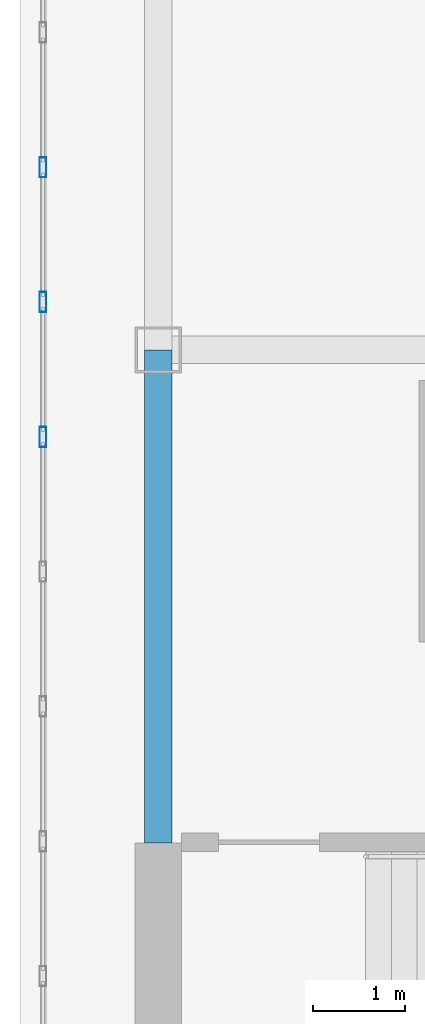
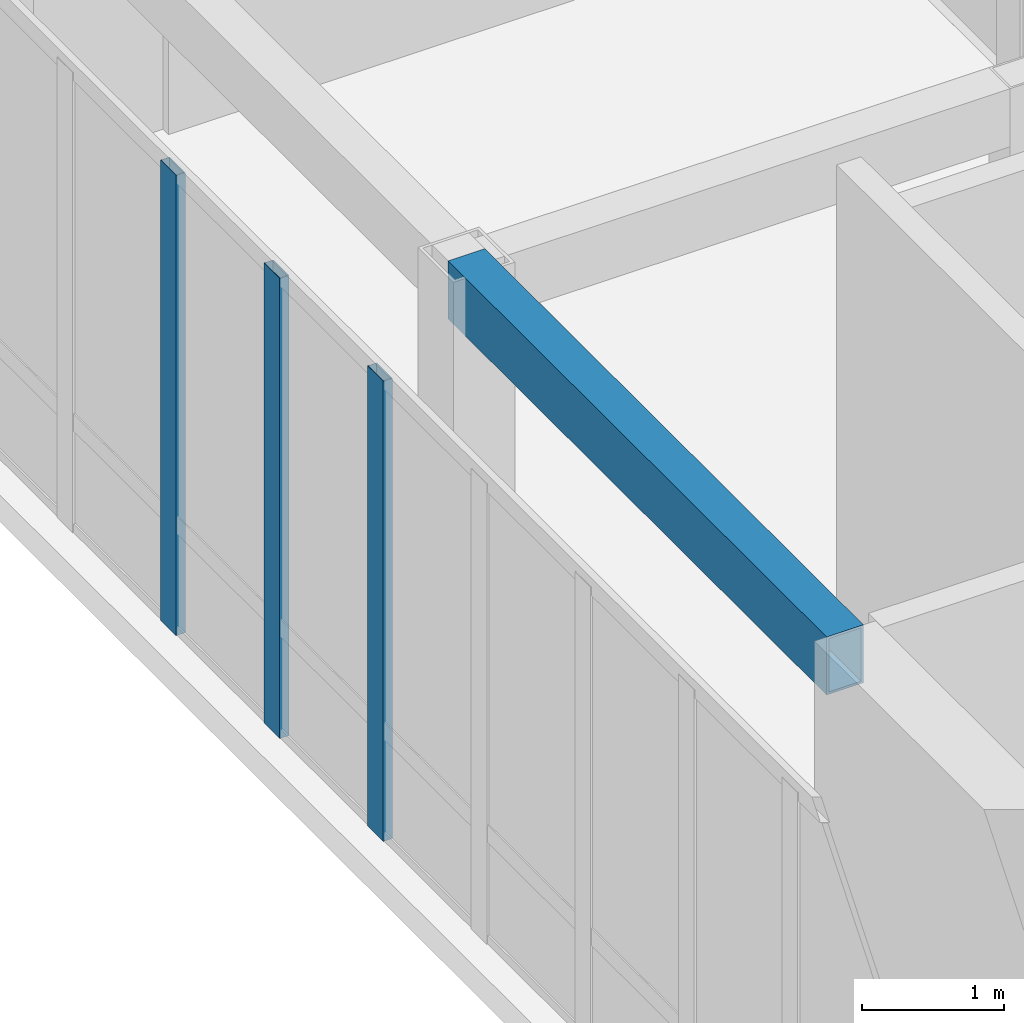
# One storey, part 3 of 13: 3 members, 1 beam, 1 element without a shape of its own.
"""IFC4 building model written with IfcOpenShell, lengths in metres."""

import ifcopenshell
import ifcopenshell.guid

model = None  # the IFC model being written
_history = None  # IfcOwnerHistory: only IFC2X3 demands one
_inside = {}  # id of a spatial element -> (the spatial element, [elements in it])
_under = {}  # id of a project, library or spatial element -> (it, [spatial elements below it])
_declared = {}  # id of a project -> (the project, [libraries it declares])
_typed = {}  # id of a type object -> (the type object, [elements of that type])
_made_of = {}  # id of a material, layer set ... -> (it, [elements and type objects made of it])


def new_model(schema):
    """Start an empty IFC model of exactly this schema.

    Asked for "IFC4X3", IfcOpenShell would pick the latest addendum, in which some entities
    have other attributes; the version numbers below select the first issue.
    IFC2X3 requires an IfcOwnerHistory on every rooted entity: one is made here for all.
    """
    global model, _history
    if schema == "IFC4X3":
        model = ifcopenshell.file(schema_version=(4, 3, 0, 0))
    else:
        model = ifcopenshell.file(schema=schema)
    _inside.clear()
    _under.clear()
    _declared.clear()
    _typed.clear()
    _made_of.clear()
    _history = None
    if model.schema == "IFC2X3":
        org = make("IfcOrganization", Name="unknown")
        user = make(
            "IfcPersonAndOrganization",
            ThePerson=make("IfcPerson", FamilyName="unknown"),
            TheOrganization=org,
        )
        app = make(
            "IfcApplication",
            ApplicationDeveloper=org,
            Version="unknown",
            ApplicationFullName="unknown",
            ApplicationIdentifier="unknown",
        )
        _history = make(
            "IfcOwnerHistory",
            OwningUser=user,
            OwningApplication=app,
            ChangeAction="ADDED",
            CreationDate=0,
        )
    return model


def make(cls, **values):
    """One entity of the class cls with the attributes given. An attribute that is None is left unset."""
    return model.create_entity(
        cls, **{name: value for name, value in values.items() if value is not None}
    )


def rooted(cls, **values):
    """An entity with a GlobalId (a new one), such as an element, a storey or a relation."""
    return make(cls, GlobalId=ifcopenshell.guid.new(), OwnerHistory=_history, **values)


def si_unit(unit_type, name, prefix=None):
    """IfcSIUnit, for example si_unit("LENGTHUNIT", "METRE", prefix="MILLI")."""
    return make("IfcSIUnit", UnitType=unit_type, Prefix=prefix, Name=name)


def assignment(units):
    """IfcUnitAssignment: the units of a project."""
    return None if units is None else make("IfcUnitAssignment", Units=units)


def point(xyz):
    """IfcCartesianPoint."""
    return None if xyz is None else make("IfcCartesianPoint", Coordinates=xyz)


def direction(xyz):
    """IfcDirection."""
    return None if xyz is None else make("IfcDirection", DirectionRatios=xyz)


def frame(location, z_axis=None, x_axis=None):
    """IfcAxis2Placement3D, a coordinate frame: its origin and axes. An axis left out is left unset."""
    return make(
        "IfcAxis2Placement3D",
        Location=point(location),
        Axis=direction(z_axis),
        RefDirection=direction(x_axis),
    )


def frame_2d(location, x_axis=None):
    """IfcAxis2Placement2D, a coordinate frame in the plane: its origin and x axis."""
    return make(
        "IfcAxis2Placement2D", Location=point(location), RefDirection=direction(x_axis)
    )


def origin():
    """The frame at (0, 0, 0) with its axes left unset."""
    return frame((0.0, 0.0, 0.0))


def origin_2d():
    """The frame at (0, 0) in the plane with its x axis left unset."""
    return frame_2d((0.0, 0.0))


def place(relative_to, where):
    """IfcLocalPlacement: puts the frame where relative to a parent placement (None: the world)."""
    return make(
        "IfcLocalPlacement", PlacementRelTo=relative_to, RelativePlacement=where
    )


def context(
    kind, dimensions, precision=None, world=None, true_north=None, identifier=None
):
    """IfcGeometricRepresentationContext, for example the 3D "Model" context."""
    return make(
        "IfcGeometricRepresentationContext",
        ContextIdentifier=identifier,
        ContextType=kind,
        CoordinateSpaceDimension=dimensions,
        Precision=precision,
        WorldCoordinateSystem=world,
        TrueNorth=true_north,
    )


def subcontext(parent, identifier, kind, view, scale=None):
    """IfcGeometricRepresentationSubContext, for example "Body" below "Model"."""
    return make(
        "IfcGeometricRepresentationSubContext",
        ContextIdentifier=identifier,
        ContextType=kind,
        ParentContext=parent,
        TargetScale=scale,
        TargetView=view,
    )


def project(units=None, contexts=None):
    """IfcProject with its units and contexts."""
    return rooted(
        "IfcProject",
        Name="project",
        RepresentationContexts=contexts,
        UnitsInContext=assignment(units),
    )


def spatial(cls, under=None, at=None, **own):
    """A site, building, storey or space (cls), placed at a placement, below another one or the project."""
    s = rooted(cls, ObjectPlacement=at, **own)
    if under is not None:
        _under.setdefault(under.id(), (under, []))[1].append(s)
    return s


def profile(cls, at=None, kind="AREA", **sizes):
    """A parametric profile (cls). Its sizes go by their IFC names, for example OverallWidth=200.0."""
    return make(cls, ProfileType=kind, Position=at, **sizes)


def hollow_rectangle(**sizes):
    """IfcRectangleHollowProfileDef."""
    return profile("IfcRectangleHollowProfileDef", **sizes)


def extrude(swept, where, along, depth):
    """IfcExtrudedAreaSolid: the profile swept, set in the frame where, extruded along a direction by depth."""
    return make(
        "IfcExtrudedAreaSolid",
        SweptArea=swept,
        Position=where,
        ExtrudedDirection=direction(along),
        Depth=depth,
    )


def shape(context_of_items, identifier, shape_type, items):
    """IfcShapeRepresentation: the items that make up one representation, for example the "Body"."""
    return make(
        "IfcShapeRepresentation",
        ContextOfItems=context_of_items,
        RepresentationIdentifier=identifier,
        RepresentationType=shape_type,
        Items=items,
    )


def source(mapping_origin, context_of_items, identifier, shape_type, items):
    """IfcRepresentationMap: a shape defined once, which mapped items show again and again."""
    return make(
        "IfcRepresentationMap",
        MappingOrigin=mapping_origin,
        MappedRepresentation=shape(context_of_items, identifier, shape_type, items),
    )


def transform(
    local_origin,
    x_axis=None,
    y_axis=None,
    z_axis=None,
    scale=None,
    scale2=None,
    scale3=None,
    uniform=True,
):
    """IfcCartesianTransformationOperator3D, or its non-uniform kind. x_axis, y_axis, z_axis: its Axis1, 2, 3."""
    if uniform:
        return make(
            "IfcCartesianTransformationOperator3D",
            Axis1=direction(x_axis),
            Axis2=direction(y_axis),
            LocalOrigin=point(local_origin),
            Scale=scale,
            Axis3=direction(z_axis),
        )
    return make(
        "IfcCartesianTransformationOperator3DnonUniform",
        Axis1=direction(x_axis),
        Axis2=direction(y_axis),
        LocalOrigin=point(local_origin),
        Scale=scale,
        Axis3=direction(z_axis),
        Scale2=scale2,
        Scale3=scale3,
    )


def mapped(mapping_source, mapping_target):
    """IfcMappedItem: shows the shape of a source again, moved by a transform."""
    return make(
        "IfcMappedItem", MappingSource=mapping_source, MappingTarget=mapping_target
    )


def material(Name=None, Category=None):
    """IfcMaterial."""
    return make("IfcMaterial", Name=Name, Category=Category)


def layer(
    of_material, thickness, ventilated=None, Name=None, Category=None, Priority=None
):
    """IfcMaterialLayer: one layer of a wall or slab, of a material (None: an air gap)."""
    return make(
        "IfcMaterialLayer",
        Material=of_material,
        LayerThickness=thickness,
        IsVentilated=ventilated,
        Name=Name,
        Category=Category,
        Priority=Priority,
    )


def layer_set(layers, Name=None):
    """IfcMaterialLayerSet."""
    return make("IfcMaterialLayerSet", MaterialLayers=layers, LayerSetName=Name)


def material_profile(
    of_material, cross_section, Name=None, Category=None, Priority=None
):
    """IfcMaterialProfile: a cross section and its material."""
    return make(
        "IfcMaterialProfile",
        Name=Name,
        Material=of_material,
        Profile=cross_section,
        Priority=Priority,
        Category=Category,
    )


def profile_set(profiles, Name=None, composite=None):
    """IfcMaterialProfileSet."""
    return make(
        "IfcMaterialProfileSet",
        Name=Name,
        MaterialProfiles=profiles,
        CompositeProfile=composite,
    )


def made_of(thing, what):
    """Note that an element or type object is made of a material, layer set ...; save() writes the relation."""
    if what is not None:
        _made_of.setdefault(what.id(), (what, []))[1].append(thing)
    return thing


def type_object(cls, material=None, **own):
    """A type object (cls), such as IfcWallType, which elements share."""
    return made_of(rooted(cls, **own), material)


def element(
    cls,
    number,
    at=None,
    inside=None,
    cuts=None,
    type_object=None,
    material=None,
    context=None,
    identifier="Body",
    shape_type=None,
    held_by="IfcProductDefinitionShape",
    body=None,
    shapes=None,
    **own,
):
    """One element of the class cls, such as IfcWall. Its Tag is "e" and its number.

    at: its placement. inside: the storey or other place that contains it. cuts: it is an
    opening in that element (IfcRelVoidsElement). A single representation is given by context,
    identifier, shape_type and body (its items); several are given by shapes. held_by: the class
    of the entity that holds the representations. save() writes the other relations.
    """
    e = rooted(cls, Tag="e%d" % number, ObjectPlacement=at, **own)
    if body is not None:
        shapes = [shape(context, identifier, shape_type, body)]
    if shapes is not None:
        e.Representation = make(held_by, Representations=shapes)
    if inside is not None:
        _inside.setdefault(inside.id(), (inside, []))[1].append(e)
    if cuts is not None:
        rooted(
            "IfcRelVoidsElement", RelatingBuildingElement=cuts, RelatedOpeningElement=e
        )
    if type_object is not None:
        _typed.setdefault(type_object.id(), (type_object, []))[1].append(e)
    return made_of(e, material)


def aggregate(whole, parts):
    """IfcRelAggregates: a whole, such as a stair, and the parts it consists of."""
    return rooted("IfcRelAggregates", RelatingObject=whole, RelatedObjects=parts)


def save(model, path):
    """Write the relations noted so far, then the file.

    IfcRelAggregates (storeys below a building ...), IfcRelContainedInSpatialStructure (elements
    in a storey), IfcRelDefinesByType, IfcRelAssociatesMaterial and IfcRelDeclares: one each for
    every whole, place, type object, material and project.
    """
    for whole, parts in _under.values():
        aggregate(whole, parts)
    for where, things in _inside.values():
        rooted(
            "IfcRelContainedInSpatialStructure",
            RelatedElements=things,
            RelatingStructure=where,
        )
    for kind, things in _typed.values():
        rooted("IfcRelDefinesByType", RelatedObjects=things, RelatingType=kind)
    for what, things in _made_of.values():
        rooted("IfcRelAssociatesMaterial", RelatedObjects=things, RelatingMaterial=what)
    for by, libraries in _declared.values():
        rooted("IfcRelDeclares", RelatingContext=by, RelatedDefinitions=libraries)
    model.write(path)


model = new_model("IFC4")

# Units and contexts
model_context = context("Model", 3, precision=1e-05, world=origin(), true_north=direction((0.0, 1.0)))
body_context = subcontext(model_context, "Body", "Model", "MODEL_VIEW")
ifc_project = project(units=[si_unit("LENGTHUNIT", "METRE"), si_unit("AREAUNIT", "SQUARE_METRE"), si_unit("VOLUMEUNIT", "CUBIC_METRE"), si_unit("PLANEANGLEUNIT", "RADIAN"), si_unit("MASSUNIT", "GRAM", prefix="KILO")], contexts=[model_context])

# Site, building, storey
site_placement = place(None, origin())
site = spatial("IfcSite", under=ifc_project, at=site_placement, CompositionType="ELEMENT")
building_placement = place(site_placement, origin())
building = spatial("IfcBuilding", under=site, at=building_placement, Name="Kharzan Plaza Tower", CompositionType="ELEMENT")
storey_placement = place(building_placement, frame((0.0, 0.0, 289.800048828125)))
storey = spatial("IfcBuildingStorey", under=building, at=storey_placement, Name="L78-CROWN", CompositionType="ELEMENT", Elevation=289.800048828125)

# Beam
ifc_material_1 = material(Name="Steel S355", Category="steel")
ifc_material_profile_1 = material_profile(ifc_material_1, hollow_rectangle(XDim=0.300048828125, YDim=0.5, WallThickness=0.02001953125, at=origin_2d()), Name="RHS500x300x20")
ifc_profile_set_1 = profile_set([ifc_material_profile_1], Name="Steel S355")
beam_type = type_object("IfcBeamType", Name="BM-CRN500", PredefinedType="BEAM", material=ifc_profile_set_1)
shared_shape_1 = source(origin(), body_context, "Body", "SweptSolid", [
    extrude(hollow_rectangle(XDim=0.300048828125, YDim=0.5, WallThickness=0.02001953125, at=origin_2d()), origin(), (0.0, 0.0, 1.0), 5.35009765625),
])
beam_placement = place(storey_placement, frame((4.5, 12.64990234375, 3.719970703125), z_axis=(0.0, 1.0, 0.0), x_axis=(-1.0, 0.0, 0.0)))
element("IfcBeam", 1, at=beam_placement, inside=storey, type_object=beam_type, Name="L78-CROWN CROWN FRAME Lantern Ring Beam CRB-W1", PredefinedType="BEAM", context=body_context, shape_type="MappedRepresentation", body=[
    mapped(shared_shape_1, transform((0.0, 0.0, 0.0), x_axis=(1.0, 0.0, 0.0), y_axis=(0.0, 1.0, 0.0), z_axis=(0.0, 0.0, 1.0))),
])

# Curtain wall, members
ifc_material_2 = material(Name="Unitised Bronze-Anodized Aluminium and Low-E Glass", Category="aluminium")
ifc_layer = layer(ifc_material_2, 0.199951171875)
ifc_layer_set = layer_set([ifc_layer], Name="Unitised Bronze-Anodized Aluminium and Low-E Glass")
curtain_wall_type = type_object("IfcCurtainWallType", Name="CW-LANTERN-6", PredefinedType="NOTDEFINED", material=ifc_layer_set)
curtain_wall_placement = place(storey_placement, origin())
curtain_wall = element("IfcCurtainWall", 2, at=curtain_wall_placement, inside=storey, type_object=curtain_wall_type, Name="L78-CROWN Lantern Crown Illuminated Curtain Wall 4", PredefinedType="NOTDEFINED")
ifc_material_3 = material(Name="Anodized Bronze Aluminium", Category="aluminium")
ifc_material_profile_2 = material_profile(ifc_material_3, hollow_rectangle(XDim=0.074951171875, YDim=0.219970703125, WallThickness=0.00390625, at=origin_2d()), Name="ALU-M220x75x4")
ifc_profile_set_2 = profile_set([ifc_material_profile_2], Name="Anodized Bronze Aluminium")
member_type = type_object("IfcMemberType", Name="MEM-CW-MUL200", PredefinedType="MULLION", material=ifc_profile_set_2)
shared_shape_2 = source(origin(), body_context, "Body", "SweptSolid", [
    extrude(hollow_rectangle(XDim=0.074951171875, YDim=0.219970703125, WallThickness=0.00390625, at=origin_2d()), origin(), (0.0, 0.0, 1.0), 3.969970703125),
])
member_1_placement = place(storey_placement, frame((3.25, 19.981689453125, 0.0), z_axis=(0.0, 0.0, 1.0), x_axis=(1.0, 0.0, 0.0)))
member_1 = element("IfcMember", 3, at=member_1_placement, type_object=member_type, Name="L78-CROWN Curtain-Wall Mullion 09", PredefinedType="MULLION", context=body_context, shape_type="MappedRepresentation", body=[
    mapped(shared_shape_2, transform((0.0, 0.0, 0.0), x_axis=(1.0, 0.0, 0.0), y_axis=(0.0, 1.0, 0.0), z_axis=(0.0, 0.0, 1.0))),
])
member_2_placement = place(storey_placement, frame((3.25, 18.518310546875, 0.0), z_axis=(0.0, 0.0, 1.0), x_axis=(1.0, 0.0, 0.0)))
member_2 = element("IfcMember", 4, at=member_2_placement, type_object=member_type, Name="L78-CROWN Curtain-Wall Mullion 10", PredefinedType="MULLION", context=body_context, shape_type="MappedRepresentation", body=[
    mapped(shared_shape_2, transform((0.0, 0.0, 0.0), x_axis=(1.0, 0.0, 0.0), y_axis=(0.0, 1.0, 0.0), z_axis=(0.0, 0.0, 1.0))),
])
member_3_placement = place(storey_placement, frame((3.25, 17.055419921875, 0.0), z_axis=(0.0, 0.0, 1.0), x_axis=(1.0, 0.0, 0.0)))
member_3 = element("IfcMember", 5, at=member_3_placement, type_object=member_type, Name="L78-CROWN Curtain-Wall Mullion 11", PredefinedType="MULLION", context=body_context, shape_type="MappedRepresentation", body=[
    mapped(shared_shape_2, transform((0.0, 0.0, 0.0), x_axis=(1.0, 0.0, 0.0), y_axis=(0.0, 1.0, 0.0), z_axis=(0.0, 0.0, 1.0))),
])
aggregate(curtain_wall, [member_1, member_2, member_3])

save(model, "model.ifc")
